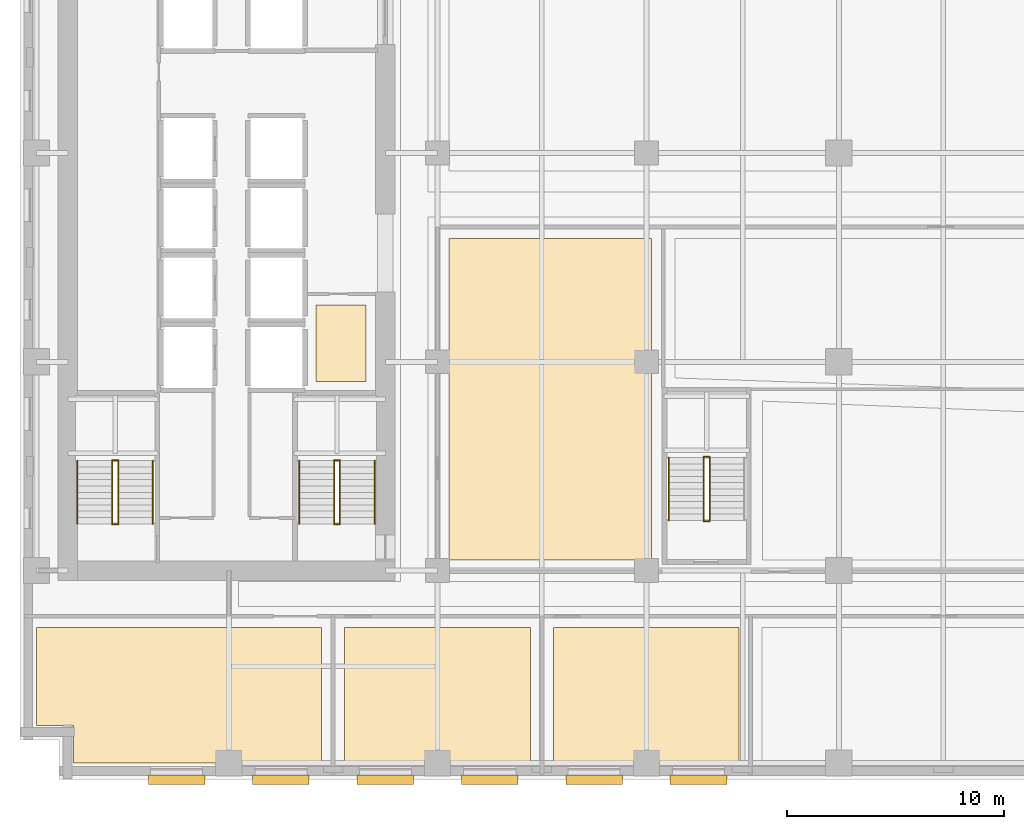
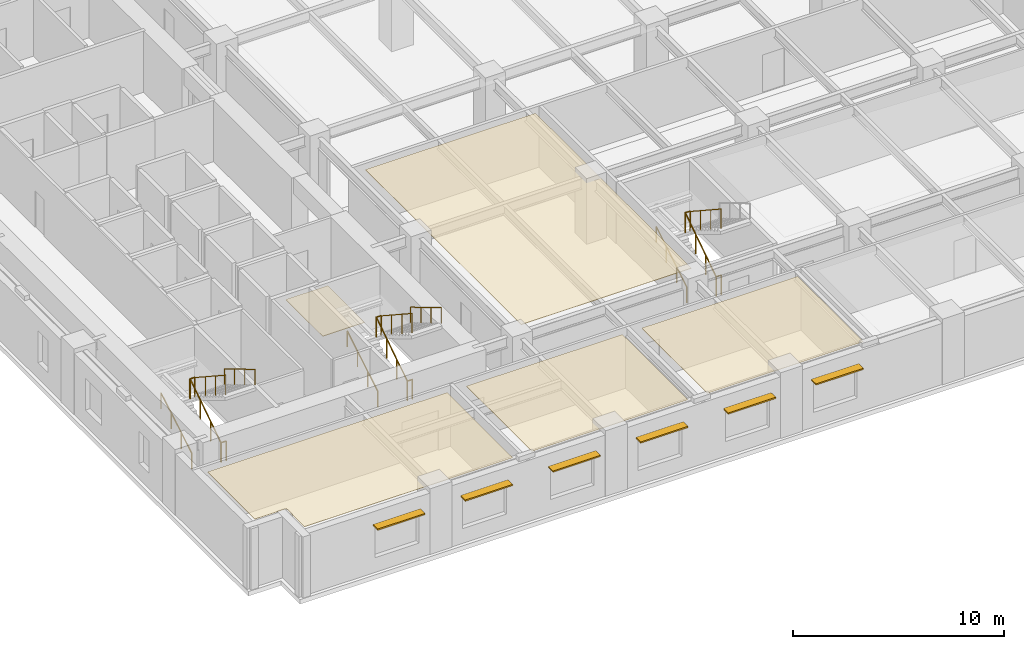
# One storey, part 10 of 14: 17 railings, 6 shading devices, 5 coverings.
"""IFC4 building model written with IfcOpenShell, lengths in metres."""

import ifcopenshell
import ifcopenshell.guid

model = None  # the IFC model being written
_history = None  # IfcOwnerHistory: only IFC2X3 demands one
_inside = {}  # id of a spatial element -> (the spatial element, [elements in it])
_under = {}  # id of a project, library or spatial element -> (it, [spatial elements below it])
_declared = {}  # id of a project -> (the project, [libraries it declares])
_typed = {}  # id of a type object -> (the type object, [elements of that type])
_made_of = {}  # id of a material, layer set ... -> (it, [elements and type objects made of it])


def new_model(schema):
    """Start an empty IFC model of exactly this schema.

    Asked for "IFC4X3", IfcOpenShell would pick the latest addendum, in which some entities
    have other attributes; the version numbers below select the first issue.
    IFC2X3 requires an IfcOwnerHistory on every rooted entity: one is made here for all.
    """
    global model, _history
    if schema == "IFC4X3":
        model = ifcopenshell.file(schema_version=(4, 3, 0, 0))
    else:
        model = ifcopenshell.file(schema=schema)
    _inside.clear()
    _under.clear()
    _declared.clear()
    _typed.clear()
    _made_of.clear()
    _history = None
    if model.schema == "IFC2X3":
        org = make("IfcOrganization", Name="unknown")
        user = make(
            "IfcPersonAndOrganization",
            ThePerson=make("IfcPerson", FamilyName="unknown"),
            TheOrganization=org,
        )
        app = make(
            "IfcApplication",
            ApplicationDeveloper=org,
            Version="unknown",
            ApplicationFullName="unknown",
            ApplicationIdentifier="unknown",
        )
        _history = make(
            "IfcOwnerHistory",
            OwningUser=user,
            OwningApplication=app,
            ChangeAction="ADDED",
            CreationDate=0,
        )
    return model


def make(cls, **values):
    """One entity of the class cls with the attributes given. An attribute that is None is left unset."""
    return model.create_entity(
        cls, **{name: value for name, value in values.items() if value is not None}
    )


def rooted(cls, **values):
    """An entity with a GlobalId (a new one), such as an element, a storey or a relation."""
    return make(cls, GlobalId=ifcopenshell.guid.new(), OwnerHistory=_history, **values)


def si_unit(unit_type, name, prefix=None):
    """IfcSIUnit, for example si_unit("LENGTHUNIT", "METRE", prefix="MILLI")."""
    return make("IfcSIUnit", UnitType=unit_type, Prefix=prefix, Name=name)


def assignment(units):
    """IfcUnitAssignment: the units of a project."""
    return None if units is None else make("IfcUnitAssignment", Units=units)


def point(xyz):
    """IfcCartesianPoint."""
    return None if xyz is None else make("IfcCartesianPoint", Coordinates=xyz)


def direction(xyz):
    """IfcDirection."""
    return None if xyz is None else make("IfcDirection", DirectionRatios=xyz)


def frame(location, z_axis=None, x_axis=None):
    """IfcAxis2Placement3D, a coordinate frame: its origin and axes. An axis left out is left unset."""
    return make(
        "IfcAxis2Placement3D",
        Location=point(location),
        Axis=direction(z_axis),
        RefDirection=direction(x_axis),
    )


def frame_2d(location, x_axis=None):
    """IfcAxis2Placement2D, a coordinate frame in the plane: its origin and x axis."""
    return make(
        "IfcAxis2Placement2D", Location=point(location), RefDirection=direction(x_axis)
    )


def origin():
    """The frame at (0, 0, 0) with its axes left unset."""
    return frame((0.0, 0.0, 0.0))


def origin_2d():
    """The frame at (0, 0) in the plane with its x axis left unset."""
    return frame_2d((0.0, 0.0))


def place(relative_to, where):
    """IfcLocalPlacement: puts the frame where relative to a parent placement (None: the world)."""
    return make(
        "IfcLocalPlacement", PlacementRelTo=relative_to, RelativePlacement=where
    )


def context(
    kind, dimensions, precision=None, world=None, true_north=None, identifier=None
):
    """IfcGeometricRepresentationContext, for example the 3D "Model" context."""
    return make(
        "IfcGeometricRepresentationContext",
        ContextIdentifier=identifier,
        ContextType=kind,
        CoordinateSpaceDimension=dimensions,
        Precision=precision,
        WorldCoordinateSystem=world,
        TrueNorth=true_north,
    )


def subcontext(parent, identifier, kind, view, scale=None):
    """IfcGeometricRepresentationSubContext, for example "Body" below "Model"."""
    return make(
        "IfcGeometricRepresentationSubContext",
        ContextIdentifier=identifier,
        ContextType=kind,
        ParentContext=parent,
        TargetScale=scale,
        TargetView=view,
    )


def project(units=None, contexts=None):
    """IfcProject with its units and contexts."""
    return rooted(
        "IfcProject",
        Name="project",
        RepresentationContexts=contexts,
        UnitsInContext=assignment(units),
    )


def spatial(cls, under=None, at=None, **own):
    """A site, building, storey or space (cls), placed at a placement, below another one or the project."""
    s = rooted(cls, ObjectPlacement=at, **own)
    if under is not None:
        _under.setdefault(under.id(), (under, []))[1].append(s)
    return s


def polyline(points):
    """IfcPolyline through the points."""
    return make("IfcPolyline", Points=[point(p) for p in points])


def profile(cls, at=None, kind="AREA", **sizes):
    """A parametric profile (cls). Its sizes go by their IFC names, for example OverallWidth=200.0."""
    return make(cls, ProfileType=kind, Position=at, **sizes)


def rectangle(**sizes):
    """IfcRectangleProfileDef."""
    return profile("IfcRectangleProfileDef", **sizes)


def circle(**sizes):
    """IfcCircleProfileDef."""
    return profile("IfcCircleProfileDef", **sizes)


def outline(outer, holes=None, kind="AREA"):
    """IfcArbitraryClosedProfileDef: a profile drawn as a closed curve; with holes, ...WithVoids."""
    if holes is None:
        return make("IfcArbitraryClosedProfileDef", ProfileType=kind, OuterCurve=outer)
    return make(
        "IfcArbitraryProfileDefWithVoids",
        ProfileType=kind,
        OuterCurve=outer,
        InnerCurves=holes,
    )


def extrude(swept, where, along, depth):
    """IfcExtrudedAreaSolid: the profile swept, set in the frame where, extruded along a direction by depth."""
    return make(
        "IfcExtrudedAreaSolid",
        SweptArea=swept,
        Position=where,
        ExtrudedDirection=direction(along),
        Depth=depth,
    )


def shape(context_of_items, identifier, shape_type, items):
    """IfcShapeRepresentation: the items that make up one representation, for example the "Body"."""
    return make(
        "IfcShapeRepresentation",
        ContextOfItems=context_of_items,
        RepresentationIdentifier=identifier,
        RepresentationType=shape_type,
        Items=items,
    )


def material(Name=None, Category=None):
    """IfcMaterial."""
    return make("IfcMaterial", Name=Name, Category=Category)


def layer(
    of_material, thickness, ventilated=None, Name=None, Category=None, Priority=None
):
    """IfcMaterialLayer: one layer of a wall or slab, of a material (None: an air gap)."""
    return make(
        "IfcMaterialLayer",
        Material=of_material,
        LayerThickness=thickness,
        IsVentilated=ventilated,
        Name=Name,
        Category=Category,
        Priority=Priority,
    )


def layer_set(layers, Name=None):
    """IfcMaterialLayerSet."""
    return make("IfcMaterialLayerSet", MaterialLayers=layers, LayerSetName=Name)


def made_of(thing, what):
    """Note that an element or type object is made of a material, layer set ...; save() writes the relation."""
    if what is not None:
        _made_of.setdefault(what.id(), (what, []))[1].append(thing)
    return thing


def type_object(cls, material=None, **own):
    """A type object (cls), such as IfcWallType, which elements share."""
    return made_of(rooted(cls, **own), material)


def element(
    cls,
    number,
    at=None,
    inside=None,
    cuts=None,
    type_object=None,
    material=None,
    context=None,
    identifier="Body",
    shape_type=None,
    held_by="IfcProductDefinitionShape",
    body=None,
    shapes=None,
    **own,
):
    """One element of the class cls, such as IfcWall. Its Tag is "e" and its number.

    at: its placement. inside: the storey or other place that contains it. cuts: it is an
    opening in that element (IfcRelVoidsElement). A single representation is given by context,
    identifier, shape_type and body (its items); several are given by shapes. held_by: the class
    of the entity that holds the representations. save() writes the other relations.
    """
    e = rooted(cls, Tag="e%d" % number, ObjectPlacement=at, **own)
    if body is not None:
        shapes = [shape(context, identifier, shape_type, body)]
    if shapes is not None:
        e.Representation = make(held_by, Representations=shapes)
    if inside is not None:
        _inside.setdefault(inside.id(), (inside, []))[1].append(e)
    if cuts is not None:
        rooted(
            "IfcRelVoidsElement", RelatingBuildingElement=cuts, RelatedOpeningElement=e
        )
    if type_object is not None:
        _typed.setdefault(type_object.id(), (type_object, []))[1].append(e)
    return made_of(e, material)


def aggregate(whole, parts):
    """IfcRelAggregates: a whole, such as a stair, and the parts it consists of."""
    return rooted("IfcRelAggregates", RelatingObject=whole, RelatedObjects=parts)


def save(model, path):
    """Write the relations noted so far, then the file.

    IfcRelAggregates (storeys below a building ...), IfcRelContainedInSpatialStructure (elements
    in a storey), IfcRelDefinesByType, IfcRelAssociatesMaterial and IfcRelDeclares: one each for
    every whole, place, type object, material and project.
    """
    for whole, parts in _under.values():
        aggregate(whole, parts)
    for where, things in _inside.values():
        rooted(
            "IfcRelContainedInSpatialStructure",
            RelatedElements=things,
            RelatingStructure=where,
        )
    for kind, things in _typed.values():
        rooted("IfcRelDefinesByType", RelatedObjects=things, RelatingType=kind)
    for what, things in _made_of.values():
        rooted("IfcRelAssociatesMaterial", RelatedObjects=things, RelatingMaterial=what)
    for by, libraries in _declared.values():
        rooted("IfcRelDeclares", RelatingContext=by, RelatedDefinitions=libraries)
    model.write(path)


model = new_model("IFC4")

# Units and contexts
model_context = context("Model", 3, precision=1e-05, world=origin(), true_north=direction((0.0, 1.0)))
body_context = subcontext(model_context, "Body", "Model", "MODEL_VIEW")
ifc_project = project(units=[si_unit("LENGTHUNIT", "METRE"), si_unit("AREAUNIT", "SQUARE_METRE"), si_unit("VOLUMEUNIT", "CUBIC_METRE"), si_unit("PLANEANGLEUNIT", "RADIAN"), si_unit("MASSUNIT", "GRAM", prefix="KILO")], contexts=[model_context])

# Site, building, storey
site_placement = place(None, origin())
site = spatial("IfcSite", under=ifc_project, at=site_placement, CompositionType="ELEMENT")
building_placement = place(site_placement, origin())
building = spatial("IfcBuilding", under=site, at=building_placement, Name="Norrvale University Quadrangle", CompositionType="ELEMENT")
storey_placement = place(building_placement, frame((0.0, 0.0, 28.0)))
storey = spatial("IfcBuildingStorey", under=building, at=storey_placement, Name="L06", CompositionType="ELEMENT", Elevation=28.0)

# Coverings
ifc_material_1 = material(Name="Perforated Acoustic Mineral Ceiling")
ifc_layer_1 = layer(ifc_material_1, 0.02490234375, Name="Perforated Acoustic Mineral Ceiling")
ifc_layer_set_1 = layer_set([ifc_layer_1], Name="Perforated Acoustic Mineral Ceiling")
covering_type_1 = type_object("IfcCoveringType", Name="Covering Acoustic Ceiling 25", PredefinedType="CEILING", material=ifc_layer_set_1)
covering_1_placement = place(storey_placement, frame((0.0, 0.0, 3.514892578125)))
element("IfcCovering", 1, at=covering_1_placement, inside=storey, type_object=covering_type_1, Name="Acoustic Ceiling RM-L06-S01", PredefinedType="CEILING", context=body_context, shape_type="SweptSolid", body=[
    extrude(outline(polyline([(0.75, 6.969970703125), (13.8701171875, 6.969970703125), (13.8701171875, 0.75), (2.469970703125, 0.75), (2.469970703125, 2.469970703125), (0.75, 2.469970703125), (0.75, 6.969970703125)])), origin(), (0.0, 0.0, 1.0), 0.025146484375),
])
covering_2_placement = place(storey_placement, frame((0.0, 0.0, 3.514892578125)))
element("IfcCovering", 2, at=covering_2_placement, inside=storey, type_object=covering_type_1, Name="Acoustic Ceiling RM-L06-S02", PredefinedType="CEILING", context=body_context, shape_type="SweptSolid", body=[
    extrude(outline(polyline([(14.929931640625, 6.969970703125), (23.469970703125, 6.969970703125), (23.469970703125, 0.75), (14.929931640625, 0.75), (14.929931640625, 6.969970703125)])), origin(), (0.0, 0.0, 1.0), 0.025146484375),
])
covering_3_placement = place(storey_placement, frame((0.0, 0.0, 3.514892578125)))
element("IfcCovering", 3, at=covering_3_placement, inside=storey, type_object=covering_type_1, Name="Acoustic Ceiling RM-L06-S03", PredefinedType="CEILING", context=body_context, shape_type="SweptSolid", body=[
    extrude(outline(polyline([(24.530029296875, 6.969970703125), (33.070068359375, 6.969970703125), (33.070068359375, 0.75), (24.530029296875, 0.75), (24.530029296875, 6.969970703125)])), origin(), (0.0, 0.0, 1.0), 0.025146484375),
])
covering_4_placement = place(storey_placement, frame((0.0, 0.0, 3.514892578125)))
element("IfcCovering", 4, at=covering_4_placement, inside=storey, type_object=covering_type_1, Name="Acoustic Ceiling RM-L06-IW1", PredefinedType="CEILING", context=body_context, shape_type="SweptSolid", body=[
    extrude(outline(polyline([(19.72998046875, 10.080078125), (19.72998046875, 24.8701171875), (29.050048828125, 24.8701171875), (29.050048828125, 10.080078125), (19.72998046875, 10.080078125)])), origin(), (0.0, 0.0, 1.0), 0.025146484375),
])
ifc_material_2 = material(Name="Polished Terrazzo Flooring")
ifc_layer_2 = layer(ifc_material_2, 0.02490234375, Name="Polished Terrazzo Flooring")
ifc_layer_set_2 = layer_set([ifc_layer_2], Name="Polished Terrazzo Flooring")
covering_type_2 = type_object("IfcCoveringType", Name="Covering Terrazzo Floor 30", PredefinedType="FLOORING", material=ifc_layer_set_2)
covering_5_placement = place(storey_placement, origin())
element("IfcCovering", 5, at=covering_5_placement, inside=storey, type_object=covering_type_2, Name="Terrazzo Flooring RM-L06-JAN", PredefinedType="FLOORING", context=body_context, shape_type="SweptSolid", body=[
    extrude(outline(polyline([(13.60009765625, 18.300048828125), (13.60009765625, 21.800048828125), (15.89990234375, 21.800048828125), (15.89990234375, 18.300048828125), (13.60009765625, 18.300048828125)])), origin(), (0.0, 0.0, 1.0), 0.02490234375),
])

# Railings
ifc_material_3 = material(Name="Steel 350W Painted Balustrade", Category="steel")
railing_type_1 = type_object("IfcRailingType", Name="Railing Stair Guard 1100", PredefinedType="GUARDRAIL", material=ifc_material_3)
for number, where, name in (
    (6, (4.239990234375, 11.719970703125, 0.0), "Stair Floor Well Guard ST-01 L06"),
    (7, (4.239990234375, 14.679931640625, 1.89990234375), "Stair Mid-Landing Slot Guard ST-01 L06"),
):
    element("IfcRailing", number, at=place(storey_placement, frame(where)), inside=storey, type_object=railing_type_1, Name=name, PredefinedType="GUARDRAIL", context=body_context, shape_type="SweptSolid", body=[
        extrude(circle(Radius=0.02392578125, at=origin_2d()), frame((0.0, 0.0, 1.1259765625), z_axis=(1.0, 0.0, 0.0), x_axis=(0.0, 1.0, 0.0)), (0.0, 0.0, 1.0), 0.27001953125),
        extrude(circle(Radius=0.02099609375, at=origin_2d()), origin(), (0.0, 0.0, 1.0), 1.101806640625),
        extrude(circle(Radius=0.02099609375, at=origin_2d()), frame((0.27001953125, 0.0, 0.0)), (0.0, 0.0, 1.0), 1.101806640625),
    ])
railing_1_placement = place(storey_placement, frame((4.239990234375, 11.75, 0.0)))
element("IfcRailing", 8, at=railing_1_placement, inside=storey, type_object=railing_type_1, Name="Stair Lower Flight Inner Guard ST-01 L06", PredefinedType="GUARDRAIL", context=body_context, shape_type="SweptSolid", body=[
    extrude(circle(Radius=0.02392578125, at=origin_2d()), frame((0.0, 0.0, 1.1259765625), z_axis=(0.0, 0.836465582154, 0.548019461216), x_axis=(-1.0, 0.0, 0.0)), (0.0, 0.0, 1.0), 3.466796875),
    extrude(circle(Radius=0.02099609375, at=origin_2d()), origin(), (0.0, 0.0, 1.0), 1.101806640625),
    extrude(circle(Radius=0.02099609375, at=origin_2d()), frame((0.0, 0.966552734375, 0.63330078125)), (0.0, 0.0, 1.0), 1.101806640625),
    extrude(circle(Radius=0.02099609375, at=origin_2d()), frame((0.0, 1.933349609375, 1.2666015625)), (0.0, 0.0, 1.0), 1.101806640625),
    extrude(circle(Radius=0.02099609375, at=origin_2d()), frame((0.0, 2.89990234375, 1.89990234375)), (0.0, 0.0, 1.0), 1.101806640625),
])
railing_2_placement = place(storey_placement, frame((4.510009765625, 14.64990234375, 1.89990234375)))
element("IfcRailing", 9, at=railing_2_placement, inside=storey, type_object=railing_type_1, Name="Stair Upper Flight Inner Guard ST-01 L06", PredefinedType="GUARDRAIL", context=body_context, shape_type="SweptSolid", body=[
    extrude(circle(Radius=0.02392578125, at=origin_2d()), frame((0.0, 0.0, 1.1259765625), z_axis=(0.0, -0.836433300813, 0.548068730445), x_axis=(1.0, 0.0, 0.0)), (0.0, 0.0, 1.0), 3.467041015625),
    extrude(circle(Radius=0.02099609375, at=origin_2d()), origin(), (0.0, 0.0, 1.0), 1.101806640625),
    extrude(circle(Radius=0.02099609375, at=origin_2d()), frame((0.0, -0.966552734375, 0.63330078125)), (0.0, 0.0, 1.0), 1.101806640625),
    extrude(circle(Radius=0.02099609375, at=origin_2d()), frame((0.0, -1.933349609375, 1.266845703125)), (0.0, 0.0, 1.0), 1.101806640625),
    extrude(circle(Radius=0.02099609375, at=origin_2d()), frame((0.0, -2.89990234375, 1.900146484375)), (0.0, 0.0, 1.0), 1.101806640625),
])
for number, where, name in (
    (10, (14.43994140625, 11.719970703125, 0.0), "Stair Floor Well Guard ST-03 L06"),
    (11, (14.43994140625, 14.679931640625, 1.89990234375), "Stair Mid-Landing Slot Guard ST-03 L06"),
):
    element("IfcRailing", number, at=place(storey_placement, frame(where)), inside=storey, type_object=railing_type_1, Name=name, PredefinedType="GUARDRAIL", context=body_context, shape_type="SweptSolid", body=[
        extrude(circle(Radius=0.02392578125, at=origin_2d()), frame((0.0, 0.0, 1.1259765625), z_axis=(1.0, 0.0, 0.0), x_axis=(0.0, 1.0, 0.0)), (0.0, 0.0, 1.0), 0.27001953125),
        extrude(circle(Radius=0.02099609375, at=origin_2d()), origin(), (0.0, 0.0, 1.0), 1.101806640625),
        extrude(circle(Radius=0.02099609375, at=origin_2d()), frame((0.27001953125, 0.0, 0.0)), (0.0, 0.0, 1.0), 1.101806640625),
    ])
railing_3_placement = place(storey_placement, frame((14.43994140625, 11.75, 0.0)))
element("IfcRailing", 12, at=railing_3_placement, inside=storey, type_object=railing_type_1, Name="Stair Lower Flight Inner Guard ST-03 L06", PredefinedType="GUARDRAIL", context=body_context, shape_type="SweptSolid", body=[
    extrude(circle(Radius=0.02392578125, at=origin_2d()), frame((0.0, 0.0, 1.1259765625), z_axis=(0.0, 0.836465582154, 0.548019461216), x_axis=(-1.0, 0.0, 0.0)), (0.0, 0.0, 1.0), 3.466796875),
    extrude(circle(Radius=0.02099609375, at=origin_2d()), origin(), (0.0, 0.0, 1.0), 1.101806640625),
    extrude(circle(Radius=0.02099609375, at=origin_2d()), frame((0.0, 0.966552734375, 0.63330078125)), (0.0, 0.0, 1.0), 1.101806640625),
    extrude(circle(Radius=0.02099609375, at=origin_2d()), frame((0.0, 1.933349609375, 1.2666015625)), (0.0, 0.0, 1.0), 1.101806640625),
    extrude(circle(Radius=0.02099609375, at=origin_2d()), frame((0.0, 2.89990234375, 1.89990234375)), (0.0, 0.0, 1.0), 1.101806640625),
])
railing_4_placement = place(storey_placement, frame((14.7099609375, 14.64990234375, 1.89990234375)))
element("IfcRailing", 13, at=railing_4_placement, inside=storey, type_object=railing_type_1, Name="Stair Upper Flight Inner Guard ST-03 L06", PredefinedType="GUARDRAIL", context=body_context, shape_type="SweptSolid", body=[
    extrude(circle(Radius=0.02392578125, at=origin_2d()), frame((0.0, 0.0, 1.1259765625), z_axis=(0.0, -0.836433300813, 0.548068730445), x_axis=(1.0, 0.0, 0.0)), (0.0, 0.0, 1.0), 3.467041015625),
    extrude(circle(Radius=0.02099609375, at=origin_2d()), origin(), (0.0, 0.0, 1.0), 1.101806640625),
    extrude(circle(Radius=0.02099609375, at=origin_2d()), frame((0.0, -0.966552734375, 0.63330078125)), (0.0, 0.0, 1.0), 1.101806640625),
    extrude(circle(Radius=0.02099609375, at=origin_2d()), frame((0.0, -1.933349609375, 1.266845703125)), (0.0, 0.0, 1.0), 1.101806640625),
    extrude(circle(Radius=0.02099609375, at=origin_2d()), frame((0.0, -2.89990234375, 1.900146484375)), (0.0, 0.0, 1.0), 1.101806640625),
])
for number, where, name in (
    (14, (31.43994140625, 11.8701171875, 0.0), "Stair Floor Well Guard ST-04 L06"),
    (15, (31.43994140625, 14.830078125, 1.89990234375), "Stair Mid-Landing Slot Guard ST-04 L06"),
):
    element("IfcRailing", number, at=place(storey_placement, frame(where)), inside=storey, type_object=railing_type_1, Name=name, PredefinedType="GUARDRAIL", context=body_context, shape_type="SweptSolid", body=[
        extrude(circle(Radius=0.02392578125, at=origin_2d()), frame((0.0, 0.0, 1.1259765625), z_axis=(1.0, 0.0, 0.0), x_axis=(0.0, 1.0, 0.0)), (0.0, 0.0, 1.0), 0.27001953125),
        extrude(circle(Radius=0.02099609375, at=origin_2d()), origin(), (0.0, 0.0, 1.0), 1.101806640625),
        extrude(circle(Radius=0.02099609375, at=origin_2d()), frame((0.27001953125, 0.0, 0.0)), (0.0, 0.0, 1.0), 1.101806640625),
    ])
railing_5_placement = place(storey_placement, frame((31.43994140625, 11.89990234375, 0.0)))
element("IfcRailing", 16, at=railing_5_placement, inside=storey, type_object=railing_type_1, Name="Stair Lower Flight Inner Guard ST-04 L06", PredefinedType="GUARDRAIL", context=body_context, shape_type="SweptSolid", body=[
    extrude(circle(Radius=0.02392578125, at=origin_2d()), frame((0.0, 0.0, 1.1259765625), z_axis=(0.0, 0.836486729621, 0.547987181573), x_axis=(-1.0, 0.0, 0.0)), (0.0, 0.0, 1.0), 3.467041015625),
    extrude(circle(Radius=0.02099609375, at=origin_2d()), origin(), (0.0, 0.0, 1.0), 1.101806640625),
    extrude(circle(Radius=0.02099609375, at=origin_2d()), frame((0.0, 0.966796875, 0.63330078125)), (0.0, 0.0, 1.0), 1.101806640625),
    extrude(circle(Radius=0.02099609375, at=origin_2d()), frame((0.0, 1.933349609375, 1.2666015625)), (0.0, 0.0, 1.0), 1.101806640625),
    extrude(circle(Radius=0.02099609375, at=origin_2d()), frame((0.0, 2.900146484375, 1.89990234375)), (0.0, 0.0, 1.0), 1.101806640625),
])
railing_6_placement = place(storey_placement, frame((31.7099609375, 14.800048828125, 1.89990234375)))
element("IfcRailing", 17, at=railing_6_placement, inside=storey, type_object=railing_type_1, Name="Stair Upper Flight Inner Guard ST-04 L06", PredefinedType="GUARDRAIL", context=body_context, shape_type="SweptSolid", body=[
    extrude(circle(Radius=0.02392578125, at=origin_2d()), frame((0.0, 0.0, 1.1259765625), z_axis=(0.0, -0.836454451266, 0.548036450392), x_axis=(1.0, 0.0, 0.0)), (0.0, 0.0, 1.0), 3.46728515625),
    extrude(circle(Radius=0.02099609375, at=origin_2d()), origin(), (0.0, 0.0, 1.0), 1.101806640625),
    extrude(circle(Radius=0.02099609375, at=origin_2d()), frame((0.0, -0.966796875, 0.63330078125)), (0.0, 0.0, 1.0), 1.101806640625),
    extrude(circle(Radius=0.02099609375, at=origin_2d()), frame((0.0, -1.933349609375, 1.266845703125)), (0.0, 0.0, 1.0), 1.101806640625),
    extrude(circle(Radius=0.02099609375, at=origin_2d()), frame((0.0, -2.900146484375, 1.900146484375)), (0.0, 0.0, 1.0), 1.101806640625),
])
ifc_material_4 = material(Name="Stainless Steel 316L Handrail", Category="steel")
railing_type_2 = type_object("IfcRailingType", Name="Railing Stair Handrail 920", PredefinedType="HANDRAIL", material=ifc_material_4)
railing_7_placement = place(storey_placement, frame((2.639892578125, 11.75, 0.172607421875)))
element("IfcRailing", 18, at=railing_7_placement, inside=storey, type_object=railing_type_2, Name="Stair Lower Flight Handrail ST-01 L06", PredefinedType="HANDRAIL", context=body_context, shape_type="SweptSolid", body=[
    extrude(circle(Radius=0.02392578125, at=origin_2d()), frame((0.0, 0.0, 0.89599609375), z_axis=(0.0, 0.859141464434, 0.511738159696), x_axis=(-1.0, 0.0, 0.0)), (0.0, 0.0, 1.0), 3.375244140625),
    extrude(circle(Radius=0.02099609375, at=origin_2d()), origin(), (0.0, 0.0, 1.0), 0.871826171875),
    extrude(circle(Radius=0.02099609375, at=origin_2d()), frame((0.0, 0.966552734375, 0.57568359375)), (0.0, 0.0, 1.0), 0.871826171875),
    extrude(circle(Radius=0.02099609375, at=origin_2d()), frame((0.0, 1.933349609375, 1.151611328125)), (0.0, 0.0, 1.0), 0.871826171875),
    extrude(circle(Radius=0.02099609375, at=origin_2d()), frame((0.0, 2.89990234375, 1.727294921875)), (0.0, 0.0, 1.0), 0.871826171875),
])
railing_8_placement = place(storey_placement, frame((6.110107421875, 14.64990234375, 2.07275390625)))
element("IfcRailing", 19, at=railing_8_placement, inside=storey, type_object=railing_type_2, Name="Stair Upper Flight Handrail ST-01 L06", PredefinedType="HANDRAIL", context=body_context, shape_type="SweptSolid", body=[
    extrude(circle(Radius=0.02392578125, at=origin_2d()), frame((0.0, 0.0, 0.89599609375), z_axis=(0.0, -0.859141464434, 0.511738159696), x_axis=(1.0, 0.0, 0.0)), (0.0, 0.0, 1.0), 3.375244140625),
    extrude(circle(Radius=0.02099609375, at=origin_2d()), origin(), (0.0, 0.0, 1.0), 0.871826171875),
    extrude(circle(Radius=0.02099609375, at=origin_2d()), frame((0.0, -0.966552734375, 0.57568359375)), (0.0, 0.0, 1.0), 0.871826171875),
    extrude(circle(Radius=0.02099609375, at=origin_2d()), frame((0.0, -1.933349609375, 1.151611328125)), (0.0, 0.0, 1.0), 0.871826171875),
    extrude(circle(Radius=0.02099609375, at=origin_2d()), frame((0.0, -2.89990234375, 1.727294921875)), (0.0, 0.0, 1.0), 0.871826171875),
])
railing_9_placement = place(storey_placement, frame((12.840087890625, 11.75, 0.172607421875)))
element("IfcRailing", 20, at=railing_9_placement, inside=storey, type_object=railing_type_2, Name="Stair Lower Flight Handrail ST-03 L06", PredefinedType="HANDRAIL", context=body_context, shape_type="SweptSolid", body=[
    extrude(circle(Radius=0.02392578125, at=origin_2d()), frame((0.0, 0.0, 0.89599609375), z_axis=(0.0, 0.859141464434, 0.511738159696), x_axis=(-1.0, 0.0, 0.0)), (0.0, 0.0, 1.0), 3.375244140625),
    extrude(circle(Radius=0.02099609375, at=origin_2d()), origin(), (0.0, 0.0, 1.0), 0.871826171875),
    extrude(circle(Radius=0.02099609375, at=origin_2d()), frame((0.0, 0.966552734375, 0.57568359375)), (0.0, 0.0, 1.0), 0.871826171875),
    extrude(circle(Radius=0.02099609375, at=origin_2d()), frame((0.0, 1.933349609375, 1.151611328125)), (0.0, 0.0, 1.0), 0.871826171875),
    extrude(circle(Radius=0.02099609375, at=origin_2d()), frame((0.0, 2.89990234375, 1.727294921875)), (0.0, 0.0, 1.0), 0.871826171875),
])
railing_10_placement = place(storey_placement, frame((16.31005859375, 14.64990234375, 2.07275390625)))
element("IfcRailing", 21, at=railing_10_placement, inside=storey, type_object=railing_type_2, Name="Stair Upper Flight Handrail ST-03 L06", PredefinedType="HANDRAIL", context=body_context, shape_type="SweptSolid", body=[
    extrude(circle(Radius=0.02392578125, at=origin_2d()), frame((0.0, 0.0, 0.89599609375), z_axis=(0.0, -0.859141464434, 0.511738159696), x_axis=(1.0, 0.0, 0.0)), (0.0, 0.0, 1.0), 3.375244140625),
    extrude(circle(Radius=0.02099609375, at=origin_2d()), origin(), (0.0, 0.0, 1.0), 0.871826171875),
    extrude(circle(Radius=0.02099609375, at=origin_2d()), frame((0.0, -0.966552734375, 0.57568359375)), (0.0, 0.0, 1.0), 0.871826171875),
    extrude(circle(Radius=0.02099609375, at=origin_2d()), frame((0.0, -1.933349609375, 1.151611328125)), (0.0, 0.0, 1.0), 0.871826171875),
    extrude(circle(Radius=0.02099609375, at=origin_2d()), frame((0.0, -2.89990234375, 1.727294921875)), (0.0, 0.0, 1.0), 0.871826171875),
])
railing_11_placement = place(storey_placement, frame((29.840087890625, 11.89990234375, 0.172607421875)))
element("IfcRailing", 22, at=railing_11_placement, inside=storey, type_object=railing_type_2, Name="Stair Lower Flight Handrail ST-04 L06", PredefinedType="HANDRAIL", context=body_context, shape_type="SweptSolid", body=[
    extrude(circle(Radius=0.02392578125, at=origin_2d()), frame((0.0, 0.0, 0.89599609375), z_axis=(0.0, 0.859160404282, 0.51170636083), x_axis=(-1.0, 0.0, 0.0)), (0.0, 0.0, 1.0), 3.37548828125),
    extrude(circle(Radius=0.02099609375, at=origin_2d()), origin(), (0.0, 0.0, 1.0), 0.871826171875),
    extrude(circle(Radius=0.02099609375, at=origin_2d()), frame((0.0, 0.966796875, 0.57568359375)), (0.0, 0.0, 1.0), 0.871826171875),
    extrude(circle(Radius=0.02099609375, at=origin_2d()), frame((0.0, 1.933349609375, 1.151611328125)), (0.0, 0.0, 1.0), 0.871826171875),
    extrude(circle(Radius=0.02099609375, at=origin_2d()), frame((0.0, 2.900146484375, 1.727294921875)), (0.0, 0.0, 1.0), 0.871826171875),
])

# Shading devices
ifc_material_5 = material(Name="Anodized Aluminium 6063-T6", Category="aluminium")
ifc_layer_3 = layer(ifc_material_5, 0.080078125, Name="Anodized Aluminium 6063-T6")
ifc_layer_set_3 = layer_set([ifc_layer_3], Name="Anodized Aluminium 6063-T6")
shading_device_type = type_object("IfcShadingDeviceType", Name="Shade South Sunshade 450", PredefinedType="USERDEFINED", material=ifc_layer_set_3)
for number, where, z_axis, x_axis, name in (
    (23, (7.199951171875, -0.02001953125, 2.719970703125), (0.0, 0.0, 1.0), (1.0, 0.0, 0.0), "South Solar Brise-Soleil 01"),
    (24, (12.0, -0.02001953125, 2.719970703125), (0.0, 0.0, 1.0), (1.0, 0.0, 0.0), "South Solar Brise-Soleil 02"),
    (25, (16.800048828125, -0.02001953125, 2.719970703125), (0.0, 0.0, 1.0), (1.0, 0.0, 0.0), "South Solar Brise-Soleil 03"),
    (26, (21.60009765625, -0.02001953125, 2.719970703125), (0.0, 0.0, 1.0), (1.0, 0.0, 0.0), "South Solar Brise-Soleil 04"),
    (27, (26.39990234375, -0.02001953125, 2.719970703125), (0.0, 0.0, 1.0), (1.0, 0.0, 0.0), "South Solar Brise-Soleil 05"),
    (28, (31.199951171875, -0.02001953125, 2.719970703125), (0.0, 0.0, 1.0), (1.0, 0.0, 0.0), "South Solar Brise-Soleil 06"),
):
    element("IfcShadingDevice", number, at=place(storey_placement, frame(where, z_axis=z_axis, x_axis=x_axis)), inside=storey, type_object=shading_device_type, Name=name, ObjectType="SUNSHADE", PredefinedType="USERDEFINED", context=body_context, shape_type="SweptSolid", body=[
        extrude(rectangle(XDim=2.60009765625, YDim=0.449951171875, at=origin_2d()), origin(), (0.0, 0.0, 1.0), 0.080078125),
    ])

save(model, "model.ifc")
